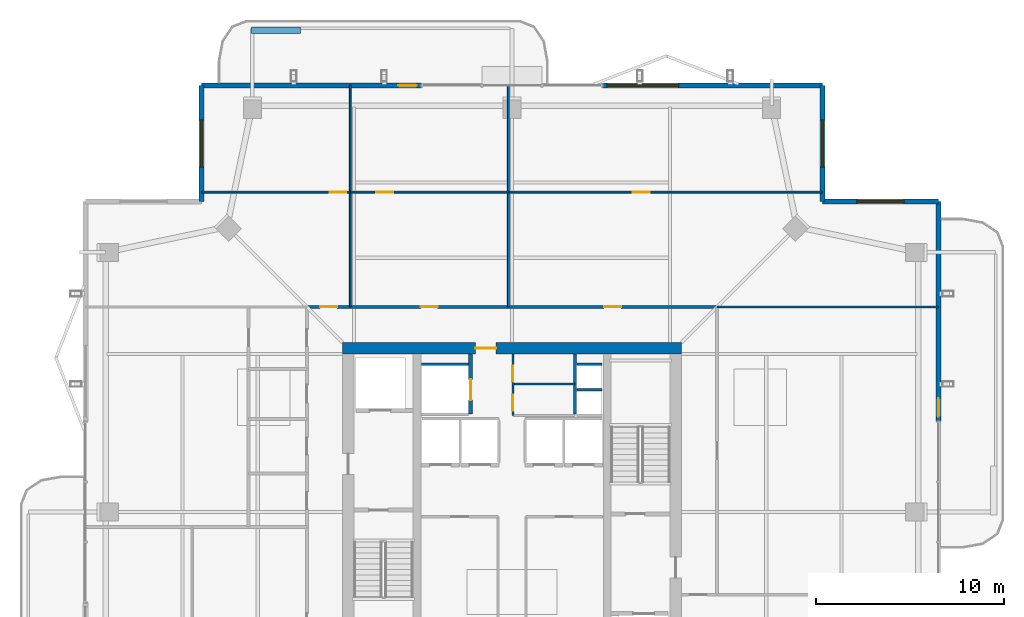
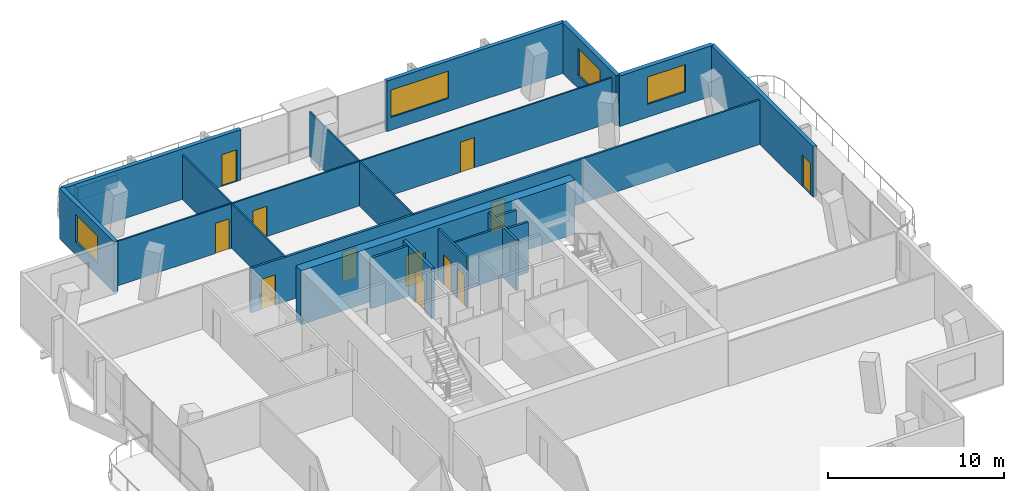
# One storey, part 16 of 20: 22 walls, 12 doors, 4 windows, 16 openings.
"""IFC4 building model written with IfcOpenShell, lengths in metres."""

from ifc_helpers import new_model, si_unit, direction, frame, frame_2d, origin, place, context, subcontext, project, spatial, rectangle, extrude, material, layer, layer_set, type_object, element, fill, save


model = new_model("IFC4")

# Units and contexts
model_context = context("Model", 3, precision=1e-05, world=origin(), true_north=direction((0.0, 1.0)))
body_context = subcontext(model_context, "Body", "Model", "MODEL_VIEW")
ifc_project = project(units=[si_unit("LENGTHUNIT", "METRE"), si_unit("AREAUNIT", "SQUARE_METRE"), si_unit("VOLUMEUNIT", "CUBIC_METRE"), si_unit("PLANEANGLEUNIT", "RADIAN"), si_unit("MASSUNIT", "GRAM", prefix="KILO")], contexts=[model_context])

# Site, building, storey
site_placement = place(None, origin())
site = spatial("IfcSite", under=ifc_project, at=site_placement, CompositionType="ELEMENT")
building_placement = place(site_placement, origin())
building = spatial("IfcBuilding", under=site, at=building_placement, Name="Belovzor Exchange Tower", CompositionType="ELEMENT")
storey_placement = place(building_placement, frame((0.0, 0.0, 329.25)))
storey = spatial("IfcBuildingStorey", under=building, at=storey_placement, Name="L82", CompositionType="ELEMENT", Elevation=329.25)

# Wall
ifc_material_1 = material(Name="Acoustic Plasterboard on Galvanised Studs", Category="gypsum")
ifc_layer_1 = layer(ifc_material_1, 0.1201171875)
ifc_layer_set_1 = layer_set([ifc_layer_1], Name="Acoustic Plasterboard on Galvanised Studs")
wall_type_1 = type_object("IfcWallType", Name="Acoustic Double-Stud Partition Wall 120", PredefinedType="PARTITIONING", material=ifc_layer_set_1)
wall_1_placement = place(storey_placement, frame((39.699951171875, 39.699951171875, 0.0), z_axis=(0.0, 0.0, 1.0), x_axis=(1.0, 0.0, 0.0)))
element("IfcWall", 1, at=wall_1_placement, inside=storey, type_object=wall_type_1, Name="W-P120 Partition Wall W-L82-END-NE", PredefinedType="PARTITIONING", context=body_context, shape_type="SweptSolid", body=[
    extrude(rectangle(XDim=11.77001953125, YDim=0.1201171875, at=frame_2d((5.885009765625, 0.0))), origin(), (0.0, 0.0, 1.0), 3.094970703125),
])

# Wall, opening, door
ifc_material_2 = material(Name="Acoustic Laminated Glass and Aluminium", Category="aluminium")
ifc_layer_2 = layer(ifc_material_2, 0.10009765625)
ifc_layer_set_2 = layer_set([ifc_layer_2], Name="Acoustic Laminated Glass and Aluminium")
wall_type_2 = type_object("IfcWallType", Name="Demountable Executive Glass Partition 100", PredefinedType="MOVABLE", material=ifc_layer_set_2)
wall_2_placement = place(storey_placement, frame((12.300048828125, 45.802978515625, 0.0), z_axis=(0.0, 0.0, 1.0), x_axis=(1.0, 0.0, 0.0)))
wall_2 = element("IfcWall", 2, at=wall_2_placement, inside=storey, type_object=wall_type_2, Name="W-M100 Partition Wall W-L82-NHDIV-0", PredefinedType="MOVABLE", context=body_context, shape_type="SweptSolid", body=[
    extrude(rectangle(XDim=7.89990234375, YDim=0.10009765625, at=frame_2d((3.949951171875, 0.0))), origin(), (0.0, 0.0, 1.0), 3.094970703125),
])
opening_1_placement = place(wall_2_placement, frame((6.800048828125, 0.0, 0.0)))
opening_1 = element("IfcOpeningElement", 3, at=opening_1_placement, cuts=wall_2, Name="Opening D-INT-090", PredefinedType="OPENING", context=body_context, shape_type="SweptSolid", body=[
    extrude(rectangle(XDim=0.89990234375, YDim=2.10009765625, at=frame_2d((0.449951171875, 1.050048828125))), frame((0.0, 0.06005859375, 0.0), z_axis=(0.0, -1.0, 0.0), x_axis=(1.0, 0.0, 0.0)), (0.0, 0.0, 1.0), 0.1201171875),
])
ifc_material_3 = material(Name="Veneered Hardwood Acoustic Leaf", Category="wood")
door_type_1 = type_object("IfcDoorType", Name="Trading Suite Acoustic Single Door 900x2100", OperationType="NOTDEFINED", PredefinedType="DOOR", material=ifc_material_3)
door_1_placement = place(opening_1_placement, origin())
door_1 = element("IfcDoor", 4, at=door_1_placement, inside=storey, type_object=door_type_1, Name="D-INT-090 Trading Suite Acoustic Single Door 900x2100", OperationType="SINGLE_SWING_RIGHT", OverallHeight=2.10009765625, OverallWidth=0.89990234375, PredefinedType="DOOR", context=body_context, shape_type="SweptSolid", body=[
    extrude(rectangle(XDim=0.89990234375, YDim=2.10009765625, at=frame_2d((0.449951171875, 1.050048828125))), frame((0.0, 0.02490234375, 0.0), z_axis=(0.0, -1.0, 0.0), x_axis=(1.0, 0.0, 0.0)), (0.0, 0.0, 1.0), 0.050048828125),
])
fill(opening_1, door_1)

# Wall
wall_3_placement = place(storey_placement, frame((20.199951171875, 39.699951171875, 0.0), z_axis=(0.0, 0.0, 1.0), x_axis=(0.0, 1.0, 0.0)))
element("IfcWall", 5, at=wall_3_placement, inside=storey, type_object=wall_type_2, Name="W-M100 Partition Wall W-L82-NDIV-1", PredefinedType="MOVABLE", context=body_context, shape_type="SweptSolid", body=[
    extrude(rectangle(XDim=11.77001953125, YDim=0.10009765625, at=frame_2d((5.885009765625, 0.0))), origin(), (0.0, 0.0, 1.0), 3.094970703125),
])

# Wall, opening, door
wall_4_placement = place(storey_placement, frame((20.199951171875, 45.802978515625, 0.0), z_axis=(0.0, 0.0, 1.0), x_axis=(1.0, 0.0, 0.0)))
wall_4 = element("IfcWall", 6, at=wall_4_placement, inside=storey, type_object=wall_type_2, Name="W-M100 Partition Wall W-L82-NHDIV-1", PredefinedType="MOVABLE", context=body_context, shape_type="SweptSolid", body=[
    extrude(rectangle(XDim=8.405029296875, YDim=0.10009765625, at=frame_2d((4.20263671875, 0.0))), origin(), (0.0, 0.0, 1.0), 3.094970703125),
])
opening_2_placement = place(wall_4_placement, frame((1.384033203125, 0.0, 0.0)))
opening_2 = element("IfcOpeningElement", 7, at=opening_2_placement, cuts=wall_4, Name="Opening D-INT-090", PredefinedType="OPENING", context=body_context, shape_type="SweptSolid", body=[
    extrude(rectangle(XDim=0.89990234375, YDim=2.10009765625, at=frame_2d((0.449951171875, 1.050048828125))), frame((0.0, 0.06005859375, 0.0), z_axis=(0.0, -1.0, 0.0), x_axis=(1.0, 0.0, 0.0)), (0.0, 0.0, 1.0), 0.1201171875),
])
door_2_placement = place(opening_2_placement, origin())
door_2 = element("IfcDoor", 8, at=door_2_placement, inside=storey, type_object=door_type_1, Name="D-INT-090 Trading Suite Acoustic Single Door 900x2100", OperationType="SINGLE_SWING_RIGHT", OverallHeight=2.10009765625, OverallWidth=0.89990234375, PredefinedType="DOOR", context=body_context, shape_type="SweptSolid", body=[
    extrude(rectangle(XDim=0.89990234375, YDim=2.10009765625, at=frame_2d((0.449951171875, 1.050048828125))), frame((0.0, 0.02490234375, 0.0), z_axis=(0.0, -1.0, 0.0), x_axis=(1.0, 0.0, 0.0)), (0.0, 0.0, 1.0), 0.050048828125),
])
fill(opening_2, door_2)

# Wall
wall_5_placement = place(storey_placement, frame((28.60498046875, 39.699951171875, 0.0), z_axis=(0.0, 0.0, 1.0), x_axis=(0.0, 1.0, 0.0)))
element("IfcWall", 9, at=wall_5_placement, inside=storey, type_object=wall_type_2, Name="W-M100 Partition Wall W-L82-NDIV-2", PredefinedType="MOVABLE", context=body_context, shape_type="SweptSolid", body=[
    extrude(rectangle(XDim=11.77001953125, YDim=0.10009765625, at=frame_2d((5.885009765625, 0.0))), origin(), (0.0, 0.0, 1.0), 3.094970703125),
])

# Wall, opening, door
wall_6_placement = place(storey_placement, frame((28.60498046875, 45.802978515625, 0.0), z_axis=(0.0, 0.0, 1.0), x_axis=(1.0, 0.0, 0.0)))
wall_6 = element("IfcWall", 10, at=wall_6_placement, inside=storey, type_object=wall_type_2, Name="W-M100 Partition Wall W-L82-NHDIV-2", PredefinedType="MOVABLE", context=body_context, shape_type="SweptSolid", body=[
    extrude(rectangle(XDim=16.695068359375, YDim=0.10009765625, at=frame_2d((8.34765625, 0.0))), origin(), (0.0, 0.0, 1.0), 3.094970703125),
])
opening_3_placement = place(wall_6_placement, frame((6.614990234375, 0.0, 0.0)))
opening_3 = element("IfcOpeningElement", 11, at=opening_3_placement, cuts=wall_6, Name="Opening D-INT-090", PredefinedType="OPENING", context=body_context, shape_type="SweptSolid", body=[
    extrude(rectangle(XDim=0.89990234375, YDim=2.10009765625, at=frame_2d((0.449951171875, 1.050048828125))), frame((0.0, 0.06005859375, 0.0), z_axis=(0.0, -1.0, 0.0), x_axis=(1.0, 0.0, 0.0)), (0.0, 0.0, 1.0), 0.1201171875),
])
door_3_placement = place(opening_3_placement, origin())
door_3 = element("IfcDoor", 12, at=door_3_placement, inside=storey, type_object=door_type_1, Name="D-INT-090 Trading Suite Acoustic Single Door 900x2100", OperationType="SINGLE_SWING_RIGHT", OverallHeight=2.10009765625, OverallWidth=0.89990234375, PredefinedType="DOOR", context=body_context, shape_type="SweptSolid", body=[
    extrude(rectangle(XDim=0.89990234375, YDim=2.10009765625, at=frame_2d((0.449951171875, 1.050048828125))), frame((0.0, 0.02490234375, 0.0), z_axis=(0.0, -1.0, 0.0), x_axis=(1.0, 0.0, 0.0)), (0.0, 0.0, 1.0), 0.050048828125),
])
fill(opening_3, door_3)

# Wall, openings, doors
ifc_material_4 = material(Name="Fire-Rated Plasterboard on Galvanised Studs", Category="gypsum")
ifc_layer_3 = layer(ifc_material_4, 0.1201171875)
ifc_layer_set_3 = layer_set([ifc_layer_3], Name="Fire-Rated Plasterboard on Galvanised Studs")
wall_type_3 = type_object("IfcWallType", Name="Fire-Rated Double-Stud Partition Wall 120", PredefinedType="PARTITIONING", material=ifc_layer_set_3)
wall_7_placement = place(storey_placement, frame((28.85009765625, 33.925048828125, 0.0), z_axis=(0.0, 0.0, 1.0), x_axis=(0.0, 1.0, 0.0)))
wall_7 = element("IfcWall", 13, at=wall_7_placement, inside=storey, type_object=wall_type_3, Name="W-P120F Partition Wall W-CRV-L82-W", PredefinedType="PARTITIONING", context=body_context, shape_type="SweptSolid", body=[
    extrude(rectangle(XDim=3.27490234375, YDim=0.1201171875, at=frame_2d((1.637451171875, 0.0))), origin(), (0.0, 0.0, 1.0), 3.510009765625),
])
opening_4_placement = place(wall_7_placement, frame((0.25, 0.0, 0.0)))
opening_4 = element("IfcOpeningElement", 14, at=opening_4_placement, cuts=wall_7, Name="Opening D-FD60-085", PredefinedType="OPENING", context=body_context, shape_type="SweptSolid", body=[
    extrude(rectangle(XDim=0.85009765625, YDim=2.10009765625, at=frame_2d((0.425048828125, 1.050048828125))), frame((0.0, 0.070068359375, 0.0), z_axis=(0.0, -1.0, 0.0), x_axis=(1.0, 0.0, 0.0)), (0.0, 0.0, 1.0), 0.14013671875),
])
opening_5_placement = place(wall_7_placement, frame((1.794921875, 0.0, 0.0)))
opening_5 = element("IfcOpeningElement", 15, at=opening_5_placement, cuts=wall_7, Name="Opening D-FD60-085", PredefinedType="OPENING", context=body_context, shape_type="SweptSolid", body=[
    extrude(rectangle(XDim=0.85009765625, YDim=2.10009765625, at=frame_2d((0.425048828125, 1.050048828125))), frame((0.0, 0.070068359375, 0.0), z_axis=(0.0, -1.0, 0.0), x_axis=(1.0, 0.0, 0.0)), (0.0, 0.0, 1.0), 0.14013671875),
])
ifc_material_5 = material(Name="Fire-Rated Steel Access Leaf", Category="steel")
door_type_2 = type_object("IfcDoorType", Name="Riser & Meter Closet Access Fire Door 850x2100", OperationType="NOTDEFINED", PredefinedType="DOOR", material=ifc_material_5)
door_4_placement = place(opening_4_placement, origin())
door_4 = element("IfcDoor", 16, at=door_4_placement, inside=storey, type_object=door_type_2, Name="D-FD60-085 Riser & Meter Closet Access Fire Door 850x2100", OperationType="SINGLE_SWING_LEFT", OverallHeight=2.10009765625, OverallWidth=0.85009765625, PredefinedType="DOOR", context=body_context, shape_type="SweptSolid", body=[
    extrude(rectangle(XDim=0.85009765625, YDim=2.10009765625, at=frame_2d((0.425048828125, 1.050048828125))), frame((0.0, 0.02490234375, 0.0), z_axis=(0.0, -1.0, 0.0), x_axis=(1.0, 0.0, 0.0)), (0.0, 0.0, 1.0), 0.050048828125),
])
fill(opening_4, door_4)
door_5_placement = place(opening_5_placement, origin())
door_5 = element("IfcDoor", 17, at=door_5_placement, inside=storey, type_object=door_type_2, Name="D-FD60-085 Riser & Meter Closet Access Fire Door 850x2100", OperationType="SINGLE_SWING_RIGHT", OverallHeight=2.10009765625, OverallWidth=0.85009765625, PredefinedType="DOOR", context=body_context, shape_type="SweptSolid", body=[
    extrude(rectangle(XDim=0.85009765625, YDim=2.10009765625, at=frame_2d((0.425048828125, 1.050048828125))), frame((0.0, 0.02490234375, 0.0), z_axis=(0.0, -1.0, 0.0), x_axis=(1.0, 0.0, 0.0)), (0.0, 0.0, 1.0), 0.050048828125),
])
fill(opening_5, door_5)

# Wall
wall_8_placement = place(storey_placement, frame((28.85009765625, 35.60009765625, 0.0), z_axis=(0.0, 0.0, 1.0), x_axis=(1.0, 0.0, 0.0)))
element("IfcWall", 18, at=wall_8_placement, inside=storey, type_object=wall_type_3, Name="W-P120F Partition Wall W-CRV-L82-M", PredefinedType="PARTITIONING", context=body_context, shape_type="SweptSolid", body=[
    extrude(rectangle(XDim=3.2998046875, YDim=0.1201171875, at=frame_2d((1.64990234375, 0.0))), origin(), (0.0, 0.0, 1.0), 3.510009765625),
])

# Wall, openings, doors
ifc_material_6 = material(Name="Fire-Rated Gypsum Block and Mineral Wool", Category="gypsum")
ifc_layer_4 = layer(ifc_material_6, 0.14990234375)
ifc_layer_set_4 = layer_set([ifc_layer_4], Name="Fire-Rated Gypsum Block and Mineral Wool")
wall_type_4 = type_object("IfcWallType", Name="Fire-Rated Gypsum Block Corridor Wall 150", PredefinedType="PARTITIONING", material=ifc_layer_set_4)
wall_9_placement = place(storey_placement, frame((17.89990234375, 39.699951171875, 0.0), z_axis=(0.0, 0.0, 1.0), x_axis=(1.0, 0.0, 0.0)))
wall_9 = element("IfcWall", 19, at=wall_9_placement, inside=storey, type_object=wall_type_4, Name="W-P150 Partition Wall W-L82-CN", PredefinedType="PARTITIONING", context=body_context, shape_type="SweptSolid", body=[
    extrude(rectangle(XDim=21.800048828125, YDim=0.14990234375, at=frame_2d((10.89990234375, 0.0))), origin(), (0.0, 0.0, 1.0), 3.094970703125),
])
opening_6_placement = place(wall_9_placement, frame((0.699951171875, 0.0, 0.0)))
opening_6 = element("IfcOpeningElement", 20, at=opening_6_placement, cuts=wall_9, Name="Opening D-INT-090", PredefinedType="OPENING", context=body_context, shape_type="SweptSolid", body=[
    extrude(rectangle(XDim=0.89990234375, YDim=2.10009765625, at=frame_2d((0.449951171875, 1.050048828125))), frame((0.0, 0.0849609375, 0.0), z_axis=(0.0, -1.0, 0.0), x_axis=(1.0, 0.0, 0.0)), (0.0, 0.0, 1.0), 0.169921875),
])
opening_7_placement = place(wall_9_placement, frame((6.052978515625, 0.0, 0.0)))
opening_7 = element("IfcOpeningElement", 21, at=opening_7_placement, cuts=wall_9, Name="Opening D-INT-090", PredefinedType="OPENING", context=body_context, shape_type="SweptSolid", body=[
    extrude(rectangle(XDim=0.89990234375, YDim=2.10009765625, at=frame_2d((0.449951171875, 1.050048828125))), frame((0.0, 0.0849609375, 0.0), z_axis=(0.0, -1.0, 0.0), x_axis=(1.0, 0.0, 0.0)), (0.0, 0.0, 1.0), 0.169921875),
])
opening_8_placement = place(wall_9_placement, frame((15.802978515625, 0.0, 0.0)))
opening_8 = element("IfcOpeningElement", 22, at=opening_8_placement, cuts=wall_9, Name="Opening D-INT-090", PredefinedType="OPENING", context=body_context, shape_type="SweptSolid", body=[
    extrude(rectangle(XDim=0.89990234375, YDim=2.10009765625, at=frame_2d((0.449951171875, 1.050048828125))), frame((0.0, 0.0849609375, 0.0), z_axis=(0.0, -1.0, 0.0), x_axis=(1.0, 0.0, 0.0)), (0.0, 0.0, 1.0), 0.169921875),
])
door_6_placement = place(opening_6_placement, origin())
door_6 = element("IfcDoor", 23, at=door_6_placement, inside=storey, type_object=door_type_1, Name="D-INT-090 Trading Suite Acoustic Single Door 900x2100", OperationType="SINGLE_SWING_RIGHT", OverallHeight=2.10009765625, OverallWidth=0.89990234375, PredefinedType="DOOR", context=body_context, shape_type="SweptSolid", body=[
    extrude(rectangle(XDim=0.89990234375, YDim=2.10009765625, at=frame_2d((0.449951171875, 1.050048828125))), frame((0.0, 0.02490234375, 0.0), z_axis=(0.0, -1.0, 0.0), x_axis=(1.0, 0.0, 0.0)), (0.0, 0.0, 1.0), 0.050048828125),
])
fill(opening_6, door_6)
door_7_placement = place(opening_7_placement, origin())
door_7 = element("IfcDoor", 24, at=door_7_placement, inside=storey, type_object=door_type_1, Name="D-INT-090 Trading Suite Acoustic Single Door 900x2100", OperationType="SINGLE_SWING_LEFT", OverallHeight=2.10009765625, OverallWidth=0.89990234375, PredefinedType="DOOR", context=body_context, shape_type="SweptSolid", body=[
    extrude(rectangle(XDim=0.89990234375, YDim=2.10009765625, at=frame_2d((0.449951171875, 1.050048828125))), frame((0.0, 0.02490234375, 0.0), z_axis=(0.0, -1.0, 0.0), x_axis=(1.0, 0.0, 0.0)), (0.0, 0.0, 1.0), 0.050048828125),
])
fill(opening_7, door_7)
door_8_placement = place(opening_8_placement, origin())
door_8 = element("IfcDoor", 25, at=door_8_placement, inside=storey, type_object=door_type_1, Name="D-INT-090 Trading Suite Acoustic Single Door 900x2100", OperationType="SINGLE_SWING_RIGHT", OverallHeight=2.10009765625, OverallWidth=0.89990234375, PredefinedType="DOOR", context=body_context, shape_type="SweptSolid", body=[
    extrude(rectangle(XDim=0.89990234375, YDim=2.10009765625, at=frame_2d((0.449951171875, 1.050048828125))), frame((0.0, 0.02490234375, 0.0), z_axis=(0.0, -1.0, 0.0), x_axis=(1.0, 0.0, 0.0)), (0.0, 0.0, 1.0), 0.050048828125),
])
fill(opening_8, door_8)

# Wall, opening, window
ifc_material_7 = material(Name="Precast concrete C40/50", Category="concrete")
ifc_layer_5 = layer(ifc_material_7, 0.280029296875)
ifc_layer_set_5 = layer_set([ifc_layer_5], Name="Precast concrete C40/50")
wall_type_5 = type_object("IfcWallType", Name="Precast Concrete Notched Corner Frame Wall 280", PredefinedType="SOLIDWALL", material=ifc_layer_set_5)
wall_10_placement = place(storey_placement, frame((12.300048828125, 45.300048828125, 0.0), z_axis=(0.0, 0.0, 1.0), x_axis=(0.0, 1.0, 0.0)))
wall_10 = element("IfcWall", 26, at=wall_10_placement, inside=storey, type_object=wall_type_5, Name="W-CRN280 Precast Concrete Notched Corner Frame Wall 280 L82", PredefinedType="SOLIDWALL", context=body_context, shape_type="SweptSolid", body=[
    extrude(rectangle(XDim=6.169921875, YDim=0.280029296875, at=frame_2d((3.0849609375, 0.0))), origin(), (0.0, 0.0, 1.0), 3.510009765625),
])
opening_9_placement = place(wall_10_placement, frame((1.8349609375, 0.0, 0.89990234375)))
opening_9 = element("IfcOpeningElement", 27, at=opening_9_placement, cuts=wall_10, Name="Opening WN-CRN250", PredefinedType="OPENING", context=body_context, shape_type="SweptSolid", body=[
    extrude(rectangle(XDim=2.5, YDim=1.89990234375, at=frame_2d((1.25, 0.949951171875))), frame((0.0, 0.14990234375, 0.0), z_axis=(0.0, -1.0, 0.0), x_axis=(1.0, 0.0, 0.0)), (0.0, 0.0, 1.0), 0.300048828125),
])
ifc_material_8 = material(Name="Thermally Broken Aluminium and Triple Glazing", Category="aluminium")
window_type_1 = type_object("IfcWindowType", Name="Streamline Moderne Corner Wrap Ribbon Window 2500x1900", PartitioningType="SINGLE_PANEL", PredefinedType="WINDOW", material=ifc_material_8)
window_1_placement = place(opening_9_placement, origin())
window_1 = element("IfcWindow", 28, at=window_1_placement, inside=storey, type_object=window_type_1, Name="WN-CRN250 Streamline Moderne Corner Wrap Ribbon Window 2500x1900", OverallHeight=1.89990234375, OverallWidth=2.5, PartitioningType="SINGLE_PANEL", PredefinedType="WINDOW", context=body_context, shape_type="SweptSolid", body=[
    extrude(rectangle(XDim=2.5, YDim=1.89990234375, at=frame_2d((1.25, 0.949951171875))), frame((0.0, 0.030029296875, 0.0), z_axis=(0.0, -1.0, 0.0), x_axis=(1.0, 0.0, 0.0)), (0.0, 0.0, 1.0), 0.06005859375),
])
fill(opening_9, window_1)

wall_11_placement = place(storey_placement, frame((45.300048828125, 51.469970703125, 0.0), z_axis=(0.0, 0.0, 1.0), x_axis=(0.0, -1.0, 0.0)))
wall_11 = element("IfcWall", 29, at=wall_11_placement, inside=storey, type_object=wall_type_5, Name="W-CRN280 Precast Concrete Notched Corner Frame Wall 280 L82", PredefinedType="SOLIDWALL", context=body_context, shape_type="SweptSolid", body=[
    extrude(rectangle(XDim=6.169921875, YDim=0.280029296875, at=frame_2d((3.0849609375, 0.0))), origin(), (0.0, 0.0, 1.0), 3.510009765625),
])
opening_10_placement = place(wall_11_placement, frame((1.8349609375, 0.0, 0.89990234375)))
opening_10 = element("IfcOpeningElement", 30, at=opening_10_placement, cuts=wall_11, Name="Opening WN-CRN250", PredefinedType="OPENING", context=body_context, shape_type="SweptSolid", body=[
    extrude(rectangle(XDim=2.5, YDim=1.89990234375, at=frame_2d((1.25, 0.949951171875))), frame((0.0, 0.14990234375, 0.0), z_axis=(0.0, -1.0, 0.0), x_axis=(1.0, 0.0, 0.0)), (0.0, 0.0, 1.0), 0.300048828125),
])
window_2_placement = place(opening_10_placement, origin())
window_2 = element("IfcWindow", 31, at=window_2_placement, inside=storey, type_object=window_type_1, Name="WN-CRN250 Streamline Moderne Corner Wrap Ribbon Window 2500x1900", OverallHeight=1.89990234375, OverallWidth=2.5, PartitioningType="SINGLE_PANEL", PredefinedType="WINDOW", context=body_context, shape_type="SweptSolid", body=[
    extrude(rectangle(XDim=2.5, YDim=1.89990234375, at=frame_2d((1.25, 0.949951171875))), frame((0.0, 0.030029296875, 0.0), z_axis=(0.0, -1.0, 0.0), x_axis=(1.0, 0.0, 0.0)), (0.0, 0.0, 1.0), 0.06005859375),
])
fill(opening_10, window_2)

wall_12_placement = place(storey_placement, frame((45.300048828125, 45.300048828125, 0.0), z_axis=(0.0, 0.0, 1.0), x_axis=(1.0, 0.0, 0.0)))
wall_12 = element("IfcWall", 32, at=wall_12_placement, inside=storey, type_object=wall_type_5, Name="W-CRN280 Precast Concrete Notched Corner Frame Wall 280 L82", PredefinedType="SOLIDWALL", context=body_context, shape_type="SweptSolid", body=[
    extrude(rectangle(XDim=6.169921875, YDim=0.280029296875, at=frame_2d((3.0849609375, 0.0))), origin(), (0.0, 0.0, 1.0), 3.510009765625),
])
opening_11_placement = place(wall_12_placement, frame((1.8349609375, 0.0, 0.89990234375)))
opening_11 = element("IfcOpeningElement", 33, at=opening_11_placement, cuts=wall_12, Name="Opening WN-CRN250", PredefinedType="OPENING", context=body_context, shape_type="SweptSolid", body=[
    extrude(rectangle(XDim=2.5, YDim=1.89990234375, at=frame_2d((1.25, 0.949951171875))), frame((0.0, 0.14990234375, 0.0), z_axis=(0.0, -1.0, 0.0), x_axis=(1.0, 0.0, 0.0)), (0.0, 0.0, 1.0), 0.300048828125),
])
window_3_placement = place(opening_11_placement, origin())
window_3 = element("IfcWindow", 34, at=window_3_placement, inside=storey, type_object=window_type_1, Name="WN-CRN250 Streamline Moderne Corner Wrap Ribbon Window 2500x1900", OverallHeight=1.89990234375, OverallWidth=2.5, PartitioningType="SINGLE_PANEL", PredefinedType="WINDOW", context=body_context, shape_type="SweptSolid", body=[
    extrude(rectangle(XDim=2.5, YDim=1.89990234375, at=frame_2d((1.25, 0.949951171875))), frame((0.0, 0.030029296875, 0.0), z_axis=(0.0, -1.0, 0.0), x_axis=(1.0, 0.0, 0.0)), (0.0, 0.0, 1.0), 0.06005859375),
])
fill(opening_11, window_3)

# Wall, opening, door
ifc_material_9 = material(Name="Precast concrete C40/50", Category="concrete")
ifc_layer_6 = layer(ifc_material_9, 0.260009765625)
ifc_layer_set_6 = layer_set([ifc_layer_6], Name="Precast concrete C40/50")
wall_type_6 = type_object("IfcWallType", Name="Precast Concrete Perimeter Loggia Frame Wall 260", PredefinedType="SOLIDWALL", material=ifc_layer_set_6)
wall_13_placement = place(storey_placement, frame((12.300048828125, 51.469970703125, 0.0), z_axis=(0.0, 0.0, 1.0), x_axis=(1.0, 0.0, 0.0)))
wall_13 = element("IfcWall", 35, at=wall_13_placement, inside=storey, type_object=wall_type_6, Name="W-EXT260 Precast Concrete Perimeter Loggia Frame Wall 260 L82", PredefinedType="SOLIDWALL", context=body_context, shape_type="SweptSolid", body=[
    extrude(rectangle(XDim=11.699951171875, YDim=0.260009765625, at=frame_2d((5.85009765625, 0.0))), origin(), (0.0, 0.0, 1.0), 3.510009765625),
])
opening_12_placement = place(wall_13_placement, frame((10.449951171875, 0.0, 0.0)))
opening_12 = element("IfcOpeningElement", 36, at=opening_12_placement, cuts=wall_13, Name="Opening D-BAL100", PredefinedType="OPENING", context=body_context, shape_type="SweptSolid", body=[
    extrude(rectangle(XDim=1.0, YDim=2.199951171875, at=frame_2d((0.5, 1.10009765625))), frame((0.0, 0.139892578125, 0.0), z_axis=(0.0, -1.0, 0.0), x_axis=(1.0, 0.0, 0.0)), (0.0, 0.0, 1.0), 0.280029296875),
])
ifc_material_10 = material(Name="Thermally Broken Anodised Aluminium and Laminated Glass", Category="aluminium")
door_type_3 = type_object("IfcDoorType", Name="Planted Loggia Terrace Glazed Door 1000x2200", OperationType="SINGLE_SWING_LEFT", PredefinedType="DOOR", material=ifc_material_10)
door_9_placement = place(opening_12_placement, origin())
door_9 = element("IfcDoor", 37, at=door_9_placement, inside=storey, type_object=door_type_3, Name="D-BAL100 Balcony Terrace Door L82 N", OperationType="SINGLE_SWING_RIGHT", OverallHeight=2.199951171875, OverallWidth=1.0, PredefinedType="DOOR", context=body_context, shape_type="SweptSolid", body=[
    extrude(rectangle(XDim=1.0, YDim=2.199951171875, at=frame_2d((0.5, 1.10009765625))), frame((0.0, 0.02490234375, 0.0), z_axis=(0.0, -1.0, 0.0), x_axis=(1.0, 0.0, 0.0)), (0.0, 0.0, 1.0), 0.050048828125),
])
fill(opening_12, door_9)

# Wall, opening, window
wall_14_placement = place(storey_placement, frame((33.60009765625, 51.469970703125, 0.0), z_axis=(0.0, 0.0, 1.0), x_axis=(1.0, 0.0, 0.0)))
wall_14 = element("IfcWall", 38, at=wall_14_placement, inside=storey, type_object=wall_type_6, Name="W-EXT260 Precast Concrete Perimeter Loggia Frame Wall 260 L82", PredefinedType="SOLIDWALL", context=body_context, shape_type="SweptSolid", body=[
    extrude(rectangle(XDim=11.699951171875, YDim=0.260009765625, at=frame_2d((5.85009765625, 0.0))), origin(), (0.0, 0.0, 1.0), 3.510009765625),
])
opening_13_placement = place(wall_14_placement, frame((0.25, 0.0, 0.89990234375)))
opening_13 = element("IfcOpeningElement", 39, at=opening_13_placement, cuts=wall_14, Name="Opening WN-RIB380", PredefinedType="OPENING", context=body_context, shape_type="SweptSolid", body=[
    extrude(rectangle(XDim=3.800048828125, YDim=1.89990234375, at=frame_2d((1.89990234375, 0.949951171875))), frame((0.0, 0.139892578125, 0.0), z_axis=(0.0, -1.0, 0.0), x_axis=(1.0, 0.0, 0.0)), (0.0, 0.0, 1.0), 0.280029296875),
])
ifc_material_11 = material(Name="Thermally Broken Aluminium and Triple Glazing", Category="aluminium")
window_type_2 = type_object("IfcWindowType", Name="Streamline Moderne Horizontal Ribbon Window 3800x1900", PartitioningType="SINGLE_PANEL", PredefinedType="WINDOW", material=ifc_material_11)
window_4_placement = place(opening_13_placement, origin())
window_4 = element("IfcWindow", 40, at=window_4_placement, inside=storey, type_object=window_type_2, Name="WN-RIB380 Streamline Moderne Horizontal Ribbon Window 3800x1900", OverallHeight=1.89990234375, OverallWidth=3.800048828125, PartitioningType="SINGLE_PANEL", PredefinedType="WINDOW", context=body_context, shape_type="SweptSolid", body=[
    extrude(rectangle(XDim=3.800048828125, YDim=1.89990234375, at=frame_2d((1.89990234375, 0.949951171875))), frame((0.0, 0.030029296875, 0.0), z_axis=(0.0, -1.0, 0.0), x_axis=(1.0, 0.0, 0.0)), (0.0, 0.0, 1.0), 0.06005859375),
])
fill(opening_13, window_4)

# Wall, opening, door
wall_15_placement = place(storey_placement, frame((51.469970703125, 45.300048828125, 0.0), z_axis=(0.0, 0.0, 1.0), x_axis=(0.0, -1.0, 0.0)))
wall_15 = element("IfcWall", 41, at=wall_15_placement, inside=storey, type_object=wall_type_6, Name="W-EXT260 Precast Concrete Perimeter Loggia Frame Wall 260 L82", PredefinedType="SOLIDWALL", context=body_context, shape_type="SweptSolid", body=[
    extrude(rectangle(XDim=11.699951171875, YDim=0.260009765625, at=frame_2d((5.85009765625, 0.0))), origin(), (0.0, 0.0, 1.0), 3.510009765625),
])
opening_14_placement = place(wall_15_placement, frame((10.449951171875, 0.0, 0.0)))
opening_14 = element("IfcOpeningElement", 42, at=opening_14_placement, cuts=wall_15, Name="Opening D-BAL100", PredefinedType="OPENING", context=body_context, shape_type="SweptSolid", body=[
    extrude(rectangle(XDim=1.0, YDim=2.199951171875, at=frame_2d((0.5, 1.10009765625))), frame((0.0, 0.139892578125, 0.0), z_axis=(0.0, -1.0, 0.0), x_axis=(1.0, 0.0, 0.0)), (0.0, 0.0, 1.0), 0.280029296875),
])
door_10_placement = place(opening_14_placement, origin())
door_10 = element("IfcDoor", 43, at=door_10_placement, inside=storey, type_object=door_type_3, Name="D-BAL100 Balcony Terrace Door L82 E", OperationType="SINGLE_SWING_LEFT", OverallHeight=2.199951171875, OverallWidth=1.0, PredefinedType="DOOR", context=body_context, shape_type="SweptSolid", body=[
    extrude(rectangle(XDim=1.0, YDim=2.199951171875, at=frame_2d((0.5, 1.10009765625))), frame((0.0, 0.02490234375, 0.0), z_axis=(0.0, -1.0, 0.0), x_axis=(1.0, 0.0, 0.0)), (0.0, 0.0, 1.0), 0.050048828125),
])
fill(opening_14, door_10)

# Walls
ifc_material_12 = material(Name="Precast concrete C40/50", Category="concrete")
ifc_layer_7 = layer(ifc_material_12, 0.35009765625)
ifc_layer_set_7 = layer_set([ifc_layer_7], Name="Precast concrete C40/50")
wall_type_7 = type_object("IfcWallType", Name="Precast Concrete Structural Tree Planter Trough 350", PredefinedType="PARAPET", material=ifc_layer_set_7)
wall_16_placement = place(storey_placement, frame((14.949951171875, 54.39990234375, 0.0), z_axis=(0.0, 0.0, 1.0), x_axis=(1.0, 0.0, 0.0)))
element("IfcWall", 44, at=wall_16_placement, inside=storey, type_object=wall_type_7, Name="PT-350 Precast Concrete Structural Tree Planter Trough 350 L82", PredefinedType="PARAPET", context=body_context, shape_type="SweptSolid", body=[
    extrude(rectangle(XDim=2.60009765625, YDim=0.35009765625, at=frame_2d((1.300048828125, 0.0))), origin(), (0.0, 0.0, 1.0), 0.89990234375),
])
ifc_material_13 = material(Name="Concrete C50/60", Category="concrete")
ifc_layer_8 = layer(ifc_material_13, 0.14990234375)
ifc_layer_set_8 = layer_set([ifc_layer_8], Name="Concrete C50/60")
wall_type_8 = type_object("IfcWallType", Name="Reinforced Concrete Core Riser Shear Wall 150", PredefinedType="SHEAR", material=ifc_layer_set_8)
wall_17_placement = place(storey_placement, frame((32.14990234375, 34.0, 0.0), z_axis=(0.0, 0.0, 1.0), x_axis=(0.0, 1.0, 0.0)))
element("IfcWall", 45, at=wall_17_placement, inside=storey, type_object=wall_type_8, Name="W-C150S Core Shaft Wall W-RSR-L82-E", PredefinedType="SHEAR", context=body_context, shape_type="SweptSolid", body=[
    extrude(rectangle(XDim=3.199951171875, YDim=0.14990234375, at=frame_2d((1.60009765625, 0.0))), origin(), (0.0, 0.0, 1.0), 3.510009765625),
])
wall_18_placement = place(storey_placement, frame((32.25, 35.300048828125, 0.0), z_axis=(0.0, 0.0, 1.0), x_axis=(1.0, 0.0, 0.0)))
element("IfcWall", 46, at=wall_18_placement, inside=storey, type_object=wall_type_8, Name="W-C150S Core Shaft Wall W-RSR-L82-M", PredefinedType="SHEAR", context=body_context, shape_type="SweptSolid", body=[
    extrude(rectangle(XDim=1.330078125, YDim=0.14990234375, at=frame_2d((0.6650390625, 0.0))), origin(), (0.0, 0.0, 1.0), 3.510009765625),
])
wall_19_placement = place(storey_placement, frame((24.0, 36.64990234375, 0.0), z_axis=(0.0, 0.0, 1.0), x_axis=(1.0, 0.0, 0.0)))
element("IfcWall", 47, at=wall_19_placement, inside=storey, type_object=wall_type_8, Name="W-C150S Core Shaft Wall W-SH-L82-SL-01N", PredefinedType="SHEAR", context=body_context, shape_type="SweptSolid", body=[
    extrude(rectangle(XDim=2.47998046875, YDim=0.14990234375, at=frame_2d((1.239990234375, 0.0))), origin(), (0.0, 0.0, 1.0), 3.510009765625),
])
wall_20_placement = place(storey_placement, frame((32.25, 36.64990234375, 0.0), z_axis=(0.0, 0.0, 1.0), x_axis=(1.0, 0.0, 0.0)))
element("IfcWall", 48, at=wall_20_placement, inside=storey, type_object=wall_type_8, Name="W-C150S Core Shaft Wall W-RSR-L82-N", PredefinedType="SHEAR", context=body_context, shape_type="SweptSolid", body=[
    extrude(rectangle(XDim=1.330078125, YDim=0.14990234375, at=frame_2d((0.6650390625, 0.0))), origin(), (0.0, 0.0, 1.0), 3.510009765625),
])

# Wall, opening, door
ifc_material_14 = material(Name="Concrete C50/60", Category="concrete")
ifc_layer_9 = layer(ifc_material_14, 0.199951171875)
ifc_layer_set_9 = layer_set([ifc_layer_9], Name="Concrete C50/60")
wall_type_9 = type_object("IfcWallType", Name="Reinforced Concrete Core Shaft Shear Wall 200", PredefinedType="SHEAR", material=ifc_layer_set_9)
wall_21_placement = place(storey_placement, frame((26.60009765625, 34.0, 0.0), z_axis=(0.0, 0.0, 1.0), x_axis=(0.0, 1.0, 0.0)))
wall_21 = element("IfcWall", 49, at=wall_21_placement, inside=storey, type_object=wall_type_9, Name="W-C200S Core Shaft Wall W-SH-L82-SL-01", PredefinedType="SHEAR", context=body_context, shape_type="SweptSolid", body=[
    extrude(rectangle(XDim=3.199951171875, YDim=0.199951171875, at=frame_2d((1.60009765625, 0.0))), origin(), (0.0, 0.0, 1.0), 3.510009765625),
])
opening_15_placement = place(wall_21_placement, frame((0.75, 0.0, 0.0)))
opening_15 = element("IfcOpeningElement", 50, at=opening_15_placement, cuts=wall_21, Name="Opening LD-110", PredefinedType="OPENING", context=body_context, shape_type="SweptSolid", body=[
    extrude(rectangle(XDim=1.10009765625, YDim=2.14990234375, at=frame_2d((0.550048828125, 1.074951171875))), frame((0.0, 0.10986328125, 0.0), z_axis=(0.0, -1.0, 0.0), x_axis=(1.0, 0.0, 0.0)), (0.0, 0.0, 1.0), 0.219970703125),
])
ifc_material_15 = material(Name="Stainless Steel Grade 304", Category="steel")
door_type_4 = type_object("IfcDoorType", Name="Automated Stainless Steel Lift Landing Door 1100x2150", OperationType="SLIDING_TO_RIGHT", PredefinedType="DOOR", material=ifc_material_15)
door_11_placement = place(opening_15_placement, origin())
door_11 = element("IfcDoor", 51, at=door_11_placement, inside=storey, type_object=door_type_4, Name="LD-110 Automated Stainless Steel Lift Landing Door 1100x2150", OperationType="SLIDING_TO_RIGHT", OverallHeight=2.14990234375, OverallWidth=1.10009765625, PredefinedType="DOOR", context=body_context, shape_type="SweptSolid", body=[
    extrude(rectangle(XDim=1.10009765625, YDim=2.14990234375, at=frame_2d((0.550048828125, 1.074951171875))), frame((0.0, 0.02490234375, 0.0), z_axis=(0.0, -1.0, 0.0), x_axis=(1.0, 0.0, 0.0)), (0.0, 0.0, 1.0), 0.050048828125),
])
fill(opening_15, door_11)

ifc_material_16 = material(Name="Concrete C50/60", Category="concrete")
ifc_layer_10 = layer(ifc_material_16, 0.60009765625)
ifc_layer_set_10 = layer_set([ifc_layer_10], Name="Concrete C50/60")
wall_type_10 = type_object("IfcWallType", Name="Reinforced Concrete Core Shear Wall 600", PredefinedType="SHEAR", material=ifc_layer_set_10)
wall_22_placement = place(storey_placement, frame((19.800048828125, 37.5, 0.0), z_axis=(0.0, 0.0, 1.0), x_axis=(1.0, 0.0, 0.0)))
wall_22 = element("IfcWall", 52, at=wall_22_placement, inside=storey, type_object=wall_type_10, Name="CW-S060 Core Shear Wall L82 N", PredefinedType="SHEAR", context=body_context, shape_type="SweptSolid", body=[
    extrude(rectangle(XDim=18.0, YDim=0.60009765625, at=frame_2d((9.0, 0.0))), origin(), (0.0, 0.0, 1.0), 3.75),
])
opening_16_placement = place(wall_22_placement, frame((7.050048828125, 0.0, 0.0)))
opening_16 = element("IfcOpeningElement", 53, at=opening_16_placement, cuts=wall_22, Name="Opening D-FD90-110", PredefinedType="OPENING", context=body_context, shape_type="SweptSolid", body=[
    extrude(rectangle(XDim=1.10009765625, YDim=2.14990234375, at=frame_2d((0.550048828125, 1.074951171875))), frame((0.0, 0.31005859375, 0.0), z_axis=(0.0, -1.0, 0.0), x_axis=(1.0, 0.0, 0.0)), (0.0, 0.0, 1.0), 0.6201171875),
])
ifc_material_17 = material(Name="Fire-Rated Galvanised Steel Leaf", Category="steel")
door_type_5 = type_object("IfcDoorType", Name="Protected Escape Vestibule Fire Door 1100x2150", OperationType="NOTDEFINED", PredefinedType="DOOR", material=ifc_material_17)
door_12_placement = place(opening_16_placement, origin())
door_12 = element("IfcDoor", 54, at=door_12_placement, inside=storey, type_object=door_type_5, Name="D-FD90-110 Protected Escape Vestibule Fire Door 1100x2150", OperationType="SINGLE_SWING_LEFT", OverallHeight=2.14990234375, OverallWidth=1.10009765625, PredefinedType="DOOR", context=body_context, shape_type="SweptSolid", body=[
    extrude(rectangle(XDim=1.10009765625, YDim=2.14990234375, at=frame_2d((0.550048828125, 1.074951171875))), frame((0.0, 0.02490234375, 0.0), z_axis=(0.0, -1.0, 0.0), x_axis=(1.0, 0.0, 0.0)), (0.0, 0.0, 1.0), 0.050048828125),
])
fill(opening_16, door_12)

save(model, "model.ifc")
